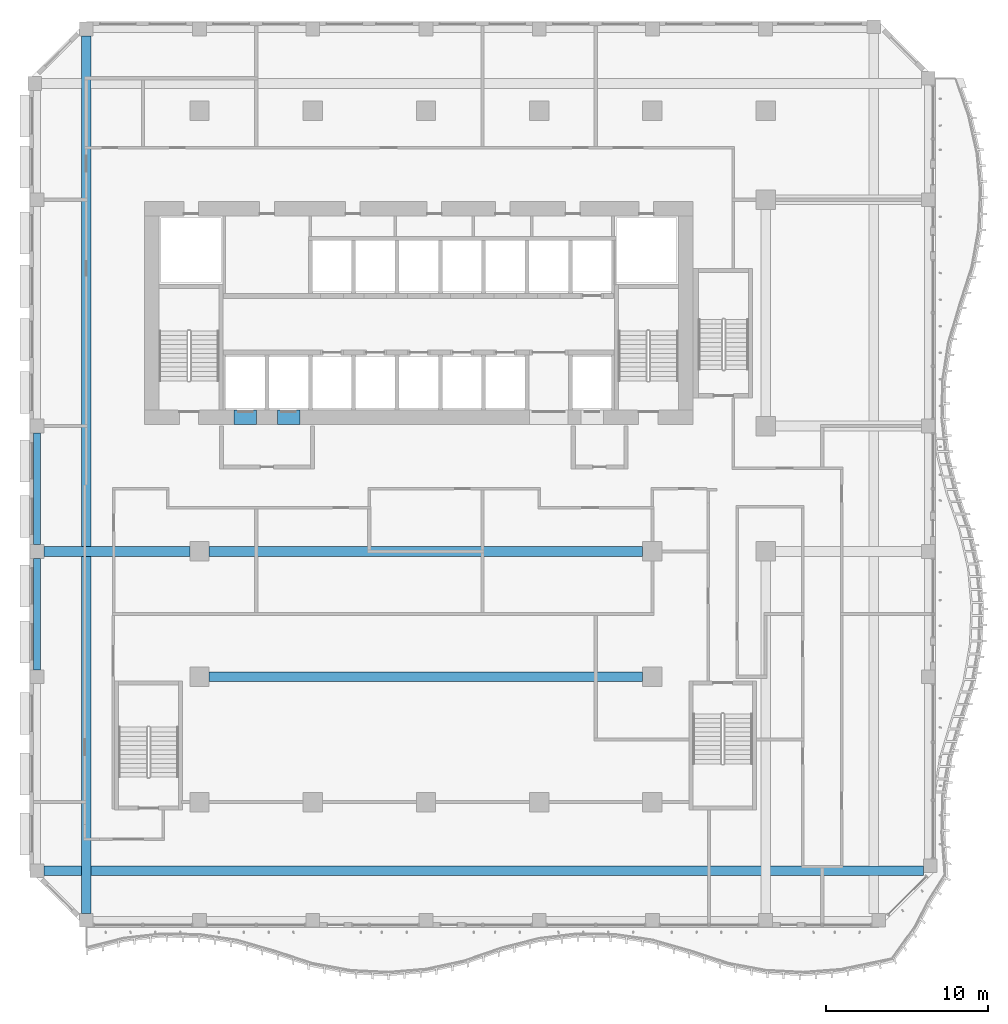
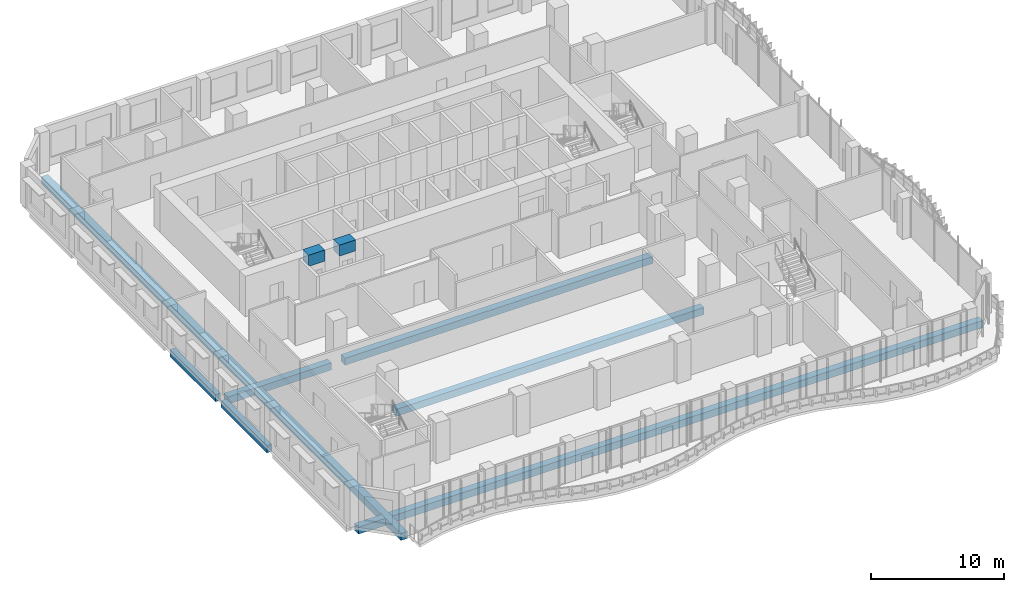
# One storey, part 3 of 25: 9 beams.
"""IFC4 building model written with IfcOpenShell, lengths in metres."""

import ifcopenshell
import ifcopenshell.guid

model = None  # the IFC model being written
_history = None  # IfcOwnerHistory: only IFC2X3 demands one
_inside = {}  # id of a spatial element -> (the spatial element, [elements in it])
_under = {}  # id of a project, library or spatial element -> (it, [spatial elements below it])
_declared = {}  # id of a project -> (the project, [libraries it declares])
_typed = {}  # id of a type object -> (the type object, [elements of that type])
_made_of = {}  # id of a material, layer set ... -> (it, [elements and type objects made of it])


def new_model(schema):
    """Start an empty IFC model of exactly this schema.

    Asked for "IFC4X3", IfcOpenShell would pick the latest addendum, in which some entities
    have other attributes; the version numbers below select the first issue.
    IFC2X3 requires an IfcOwnerHistory on every rooted entity: one is made here for all.
    """
    global model, _history
    if schema == "IFC4X3":
        model = ifcopenshell.file(schema_version=(4, 3, 0, 0))
    else:
        model = ifcopenshell.file(schema=schema)
    _inside.clear()
    _under.clear()
    _declared.clear()
    _typed.clear()
    _made_of.clear()
    _history = None
    if model.schema == "IFC2X3":
        org = make("IfcOrganization", Name="unknown")
        user = make(
            "IfcPersonAndOrganization",
            ThePerson=make("IfcPerson", FamilyName="unknown"),
            TheOrganization=org,
        )
        app = make(
            "IfcApplication",
            ApplicationDeveloper=org,
            Version="unknown",
            ApplicationFullName="unknown",
            ApplicationIdentifier="unknown",
        )
        _history = make(
            "IfcOwnerHistory",
            OwningUser=user,
            OwningApplication=app,
            ChangeAction="ADDED",
            CreationDate=0,
        )
    return model


def make(cls, **values):
    """One entity of the class cls with the attributes given. An attribute that is None is left unset."""
    return model.create_entity(
        cls, **{name: value for name, value in values.items() if value is not None}
    )


def rooted(cls, **values):
    """An entity with a GlobalId (a new one), such as an element, a storey or a relation."""
    return make(cls, GlobalId=ifcopenshell.guid.new(), OwnerHistory=_history, **values)


def si_unit(unit_type, name, prefix=None):
    """IfcSIUnit, for example si_unit("LENGTHUNIT", "METRE", prefix="MILLI")."""
    return make("IfcSIUnit", UnitType=unit_type, Prefix=prefix, Name=name)


def assignment(units):
    """IfcUnitAssignment: the units of a project."""
    return None if units is None else make("IfcUnitAssignment", Units=units)


def point(xyz):
    """IfcCartesianPoint."""
    return None if xyz is None else make("IfcCartesianPoint", Coordinates=xyz)


def direction(xyz):
    """IfcDirection."""
    return None if xyz is None else make("IfcDirection", DirectionRatios=xyz)


def frame(location, z_axis=None, x_axis=None):
    """IfcAxis2Placement3D, a coordinate frame: its origin and axes. An axis left out is left unset."""
    return make(
        "IfcAxis2Placement3D",
        Location=point(location),
        Axis=direction(z_axis),
        RefDirection=direction(x_axis),
    )


def frame_2d(location, x_axis=None):
    """IfcAxis2Placement2D, a coordinate frame in the plane: its origin and x axis."""
    return make(
        "IfcAxis2Placement2D", Location=point(location), RefDirection=direction(x_axis)
    )


def origin():
    """The frame at (0, 0, 0) with its axes left unset."""
    return frame((0.0, 0.0, 0.0))


def origin_2d():
    """The frame at (0, 0) in the plane with its x axis left unset."""
    return frame_2d((0.0, 0.0))


def place(relative_to, where):
    """IfcLocalPlacement: puts the frame where relative to a parent placement (None: the world)."""
    return make(
        "IfcLocalPlacement", PlacementRelTo=relative_to, RelativePlacement=where
    )


def context(
    kind, dimensions, precision=None, world=None, true_north=None, identifier=None
):
    """IfcGeometricRepresentationContext, for example the 3D "Model" context."""
    return make(
        "IfcGeometricRepresentationContext",
        ContextIdentifier=identifier,
        ContextType=kind,
        CoordinateSpaceDimension=dimensions,
        Precision=precision,
        WorldCoordinateSystem=world,
        TrueNorth=true_north,
    )


def subcontext(parent, identifier, kind, view, scale=None):
    """IfcGeometricRepresentationSubContext, for example "Body" below "Model"."""
    return make(
        "IfcGeometricRepresentationSubContext",
        ContextIdentifier=identifier,
        ContextType=kind,
        ParentContext=parent,
        TargetScale=scale,
        TargetView=view,
    )


def project(units=None, contexts=None):
    """IfcProject with its units and contexts."""
    return rooted(
        "IfcProject",
        Name="project",
        RepresentationContexts=contexts,
        UnitsInContext=assignment(units),
    )


def spatial(cls, under=None, at=None, **own):
    """A site, building, storey or space (cls), placed at a placement, below another one or the project."""
    s = rooted(cls, ObjectPlacement=at, **own)
    if under is not None:
        _under.setdefault(under.id(), (under, []))[1].append(s)
    return s


def profile(cls, at=None, kind="AREA", **sizes):
    """A parametric profile (cls). Its sizes go by their IFC names, for example OverallWidth=200.0."""
    return make(cls, ProfileType=kind, Position=at, **sizes)


def rectangle(**sizes):
    """IfcRectangleProfileDef."""
    return profile("IfcRectangleProfileDef", **sizes)


def extrude(swept, where, along, depth):
    """IfcExtrudedAreaSolid: the profile swept, set in the frame where, extruded along a direction by depth."""
    return make(
        "IfcExtrudedAreaSolid",
        SweptArea=swept,
        Position=where,
        ExtrudedDirection=direction(along),
        Depth=depth,
    )


def shape(context_of_items, identifier, shape_type, items):
    """IfcShapeRepresentation: the items that make up one representation, for example the "Body"."""
    return make(
        "IfcShapeRepresentation",
        ContextOfItems=context_of_items,
        RepresentationIdentifier=identifier,
        RepresentationType=shape_type,
        Items=items,
    )


def source(mapping_origin, context_of_items, identifier, shape_type, items):
    """IfcRepresentationMap: a shape defined once, which mapped items show again and again."""
    return make(
        "IfcRepresentationMap",
        MappingOrigin=mapping_origin,
        MappedRepresentation=shape(context_of_items, identifier, shape_type, items),
    )


def transform(
    local_origin,
    x_axis=None,
    y_axis=None,
    z_axis=None,
    scale=None,
    scale2=None,
    scale3=None,
    uniform=True,
):
    """IfcCartesianTransformationOperator3D, or its non-uniform kind. x_axis, y_axis, z_axis: its Axis1, 2, 3."""
    if uniform:
        return make(
            "IfcCartesianTransformationOperator3D",
            Axis1=direction(x_axis),
            Axis2=direction(y_axis),
            LocalOrigin=point(local_origin),
            Scale=scale,
            Axis3=direction(z_axis),
        )
    return make(
        "IfcCartesianTransformationOperator3DnonUniform",
        Axis1=direction(x_axis),
        Axis2=direction(y_axis),
        LocalOrigin=point(local_origin),
        Scale=scale,
        Axis3=direction(z_axis),
        Scale2=scale2,
        Scale3=scale3,
    )


def mapped(mapping_source, mapping_target):
    """IfcMappedItem: shows the shape of a source again, moved by a transform."""
    return make(
        "IfcMappedItem", MappingSource=mapping_source, MappingTarget=mapping_target
    )


def material(Name=None, Category=None):
    """IfcMaterial."""
    return make("IfcMaterial", Name=Name, Category=Category)


def material_profile(
    of_material, cross_section, Name=None, Category=None, Priority=None
):
    """IfcMaterialProfile: a cross section and its material."""
    return make(
        "IfcMaterialProfile",
        Name=Name,
        Material=of_material,
        Profile=cross_section,
        Priority=Priority,
        Category=Category,
    )


def profile_set(profiles, Name=None, composite=None):
    """IfcMaterialProfileSet."""
    return make(
        "IfcMaterialProfileSet",
        Name=Name,
        MaterialProfiles=profiles,
        CompositeProfile=composite,
    )


def made_of(thing, what):
    """Note that an element or type object is made of a material, layer set ...; save() writes the relation."""
    if what is not None:
        _made_of.setdefault(what.id(), (what, []))[1].append(thing)
    return thing


def type_object(cls, material=None, **own):
    """A type object (cls), such as IfcWallType, which elements share."""
    return made_of(rooted(cls, **own), material)


def element(
    cls,
    number,
    at=None,
    inside=None,
    cuts=None,
    type_object=None,
    material=None,
    context=None,
    identifier="Body",
    shape_type=None,
    held_by="IfcProductDefinitionShape",
    body=None,
    shapes=None,
    **own,
):
    """One element of the class cls, such as IfcWall. Its Tag is "e" and its number.

    at: its placement. inside: the storey or other place that contains it. cuts: it is an
    opening in that element (IfcRelVoidsElement). A single representation is given by context,
    identifier, shape_type and body (its items); several are given by shapes. held_by: the class
    of the entity that holds the representations. save() writes the other relations.
    """
    e = rooted(cls, Tag="e%d" % number, ObjectPlacement=at, **own)
    if body is not None:
        shapes = [shape(context, identifier, shape_type, body)]
    if shapes is not None:
        e.Representation = make(held_by, Representations=shapes)
    if inside is not None:
        _inside.setdefault(inside.id(), (inside, []))[1].append(e)
    if cuts is not None:
        rooted(
            "IfcRelVoidsElement", RelatingBuildingElement=cuts, RelatedOpeningElement=e
        )
    if type_object is not None:
        _typed.setdefault(type_object.id(), (type_object, []))[1].append(e)
    return made_of(e, material)


def aggregate(whole, parts):
    """IfcRelAggregates: a whole, such as a stair, and the parts it consists of."""
    return rooted("IfcRelAggregates", RelatingObject=whole, RelatedObjects=parts)


def save(model, path):
    """Write the relations noted so far, then the file.

    IfcRelAggregates (storeys below a building ...), IfcRelContainedInSpatialStructure (elements
    in a storey), IfcRelDefinesByType, IfcRelAssociatesMaterial and IfcRelDeclares: one each for
    every whole, place, type object, material and project.
    """
    for whole, parts in _under.values():
        aggregate(whole, parts)
    for where, things in _inside.values():
        rooted(
            "IfcRelContainedInSpatialStructure",
            RelatedElements=things,
            RelatingStructure=where,
        )
    for kind, things in _typed.values():
        rooted("IfcRelDefinesByType", RelatedObjects=things, RelatingType=kind)
    for what, things in _made_of.values():
        rooted("IfcRelAssociatesMaterial", RelatedObjects=things, RelatingMaterial=what)
    for by, libraries in _declared.values():
        rooted("IfcRelDeclares", RelatingContext=by, RelatedDefinitions=libraries)
    model.write(path)


model = new_model("IFC4")

# Units and contexts
model_context = context("Model", 3, precision=1e-05, world=origin(), true_north=direction((0.0, 1.0)))
body_context = subcontext(model_context, "Body", "Model", "MODEL_VIEW")
ifc_project = project(units=[si_unit("LENGTHUNIT", "METRE"), si_unit("AREAUNIT", "SQUARE_METRE"), si_unit("VOLUMEUNIT", "CUBIC_METRE"), si_unit("PLANEANGLEUNIT", "RADIAN"), si_unit("MASSUNIT", "GRAM", prefix="KILO")], contexts=[model_context])

# Site, building, storey
site_placement = place(None, origin())
site = spatial("IfcSite", under=ifc_project, at=site_placement, CompositionType="ELEMENT")
building_placement = place(site_placement, origin())
building = spatial("IfcBuilding", under=site, at=building_placement, Name="Kilnfold Tower and Market Hall", CompositionType="ELEMENT")
storey_placement = place(building_placement, frame((0.0, 0.0, 120.60009765625)))
storey = spatial("IfcBuildingStorey", under=building, at=storey_placement, Name="L28", CompositionType="ELEMENT", Elevation=120.60009765625)

# Beams
ifc_material_1 = material(Name="Concrete C70", Category="concrete")
ifc_material_profile_1 = material_profile(ifc_material_1, rectangle(XDim=0.89990234375, YDim=1.02001953125, at=origin_2d()), Name="RC 900x1020")
ifc_profile_set_1 = profile_set([ifc_material_profile_1], Name="Concrete C70")
beam_type_1 = type_object("IfcBeamType", Name="COUPLING BEAM 900X1020 C70", PredefinedType="BEAM", material=ifc_profile_set_1)
shared_shape_1 = source(origin(), body_context, "Body", "SweptSolid", [
    extrude(rectangle(XDim=0.89990234375, YDim=1.02001953125, at=origin_2d()), origin(), (0.0, 0.0, 1.0), 1.400146484375),
])
beam_1_placement = place(storey_placement, frame((-10.3701171875, 8.550048828125, 3.2099609375), z_axis=(1.0, 0.0, 0.0), x_axis=(0.0, 1.0, 0.0)))
element("IfcBeam", 1, at=beam_1_placement, inside=storey, type_object=beam_type_1, Name="Coupling beam CB1020-70-CORE.40", PredefinedType="BEAM", context=body_context, shape_type="MappedRepresentation", body=[
    mapped(shared_shape_1, transform((0.0, 0.0, 0.0))),
])
shared_shape_2 = source(origin(), body_context, "Body", "SweptSolid", [
    extrude(rectangle(XDim=0.89990234375, YDim=1.02001953125, at=origin_2d()), origin(), (0.0, 0.0, 1.0), 1.39990234375),
])
beam_2_placement = place(storey_placement, frame((-7.68994140625, 8.550048828125, 3.2099609375), z_axis=(1.0, 0.0, 0.0), x_axis=(0.0, 1.0, 0.0)))
element("IfcBeam", 2, at=beam_2_placement, inside=storey, type_object=beam_type_1, Name="Coupling beam CB1020-70-CORE.41", PredefinedType="BEAM", context=body_context, shape_type="MappedRepresentation", body=[
    mapped(shared_shape_2, transform((0.0, 0.0, 0.0))),
])
ifc_material_2 = material(Name="Concrete C45", Category="concrete")
ifc_material_profile_2 = material_profile(ifc_material_2, rectangle(XDim=0.60009765625, YDim=0.64990234375, at=origin_2d()), Name="RC 600x650")
ifc_profile_set_2 = profile_set([ifc_material_profile_2], Name="Concrete C45")
beam_type_2 = type_object("IfcBeamType", Name="BEAM 600X650 C45", PredefinedType="BEAM", material=ifc_profile_set_2)
shared_shape_3 = source(origin(), body_context, "Body", "SweptSolid", [
    extrude(rectangle(XDim=0.60009765625, YDim=0.64990234375, at=origin_2d()), origin(), (0.0, 0.0, 1.0), 54.3818359375),
])
beam_3_placement = place(storey_placement, frame((-22.125, -19.5, -0.60498046875), z_axis=(1.0, 0.0, 0.0), x_axis=(0.0, 1.0, 0.0)))
element("IfcBeam", 3, at=beam_3_placement, inside=storey, type_object=beam_type_2, Name="Beam BB650-B3.59", PredefinedType="BEAM", context=body_context, shape_type="MappedRepresentation", body=[
    mapped(shared_shape_3, transform((0.0, 0.0, 0.0))),
])
shared_shape_4 = source(origin(), body_context, "Body", "SweptSolid", [
    extrude(rectangle(XDim=0.60009765625, YDim=0.64990234375, at=origin_2d()), origin(), (0.0, 0.0, 1.0), 26.7998046875),
])
for number, where, z_axis, x_axis, name in (
    (4, (-11.89990234375, -7.5, -0.60498046875), (1.0, 0.0, 0.0), (0.0, 1.0, 0.0), "Beam BB650-B3.60"),
    (5, (-11.89990234375, 0.25, -0.60498046875), (1.0, 0.0, 0.0), (0.0, 1.0, 0.0), "Beam BB650-B3.62"),
):
    element("IfcBeam", number, at=place(storey_placement, frame(where, z_axis=z_axis, x_axis=x_axis)), inside=storey, type_object=beam_type_2, Name=name, PredefinedType="BEAM", context=body_context, shape_type="MappedRepresentation", body=[
        mapped(shared_shape_4, transform((0.0, 0.0, 0.0))),
    ])
shared_shape_5 = source(origin(), body_context, "Body", "SweptSolid", [
    extrude(rectangle(XDim=0.60009765625, YDim=0.64990234375, at=origin_2d()), origin(), (0.0, 0.0, 1.0), 9.02490234375),
])
beam_4_placement = place(storey_placement, frame((-22.125, 0.25, -0.60498046875), z_axis=(1.0, 0.0, 0.0), x_axis=(0.0, 1.0, 0.0)))
element("IfcBeam", 6, at=beam_4_placement, inside=storey, type_object=beam_type_2, Name="Beam BB650-B3.61", PredefinedType="BEAM", context=body_context, shape_type="MappedRepresentation", body=[
    mapped(shared_shape_5, transform((0.0, 0.0, 0.0))),
])
ifc_material_3 = material(Name="Concrete C45", Category="concrete")
ifc_material_profile_3 = material_profile(ifc_material_3, rectangle(XDim=0.449951171875, YDim=0.64990234375, at=origin_2d()), Name="RC 450x650")
ifc_profile_set_3 = profile_set([ifc_material_profile_3], Name="Concrete C45")
beam_type_3 = type_object("IfcBeamType", Name="EDGE BEAM 450X650 C45", PredefinedType="BEAM", material=ifc_profile_set_3)
shared_shape_6 = source(origin(), body_context, "Body", "SweptSolid", [
    extrude(rectangle(XDim=0.449951171875, YDim=0.64990234375, at=origin_2d()), origin(), (0.0, 0.0, 1.0), 6.89990234375),
])
for number, where, z_axis, x_axis, name in (
    (7, (-22.550048828125, -7.074951171875, -0.60498046875), (0.0, 1.0, 0.0), (-1.0, 0.0, 0.0), "Beam EB650-B3.75"),
    (8, (-22.550048828125, 0.675048828125, -0.60498046875), (0.0, 1.0, 0.0), (-1.0, 0.0, 0.0), "Beam EB650-B3.76"),
):
    element("IfcBeam", number, at=place(storey_placement, frame(where, z_axis=z_axis, x_axis=x_axis)), inside=storey, type_object=beam_type_3, Name=name, PredefinedType="BEAM", context=body_context, shape_type="MappedRepresentation", body=[
        mapped(shared_shape_6, transform((0.0, 0.0, 0.0))),
    ])
shared_shape_7 = source(origin(), body_context, "Body", "SweptSolid", [
    extrude(rectangle(XDim=0.60009765625, YDim=0.64990234375, at=origin_2d()), origin(), (0.0, 0.0, 1.0), 54.25),
])
beam_5_placement = place(storey_placement, frame((-19.5, -22.125, -0.60498046875), z_axis=(0.0, 1.0, 0.0), x_axis=(-1.0, 0.0, 0.0)))
element("IfcBeam", 9, at=beam_5_placement, inside=storey, type_object=beam_type_2, Name="Beam BB650-B3.79", PredefinedType="BEAM", context=body_context, shape_type="MappedRepresentation", body=[
    mapped(shared_shape_7, transform((0.0, 0.0, 0.0))),
])

save(model, "model.ifc")
